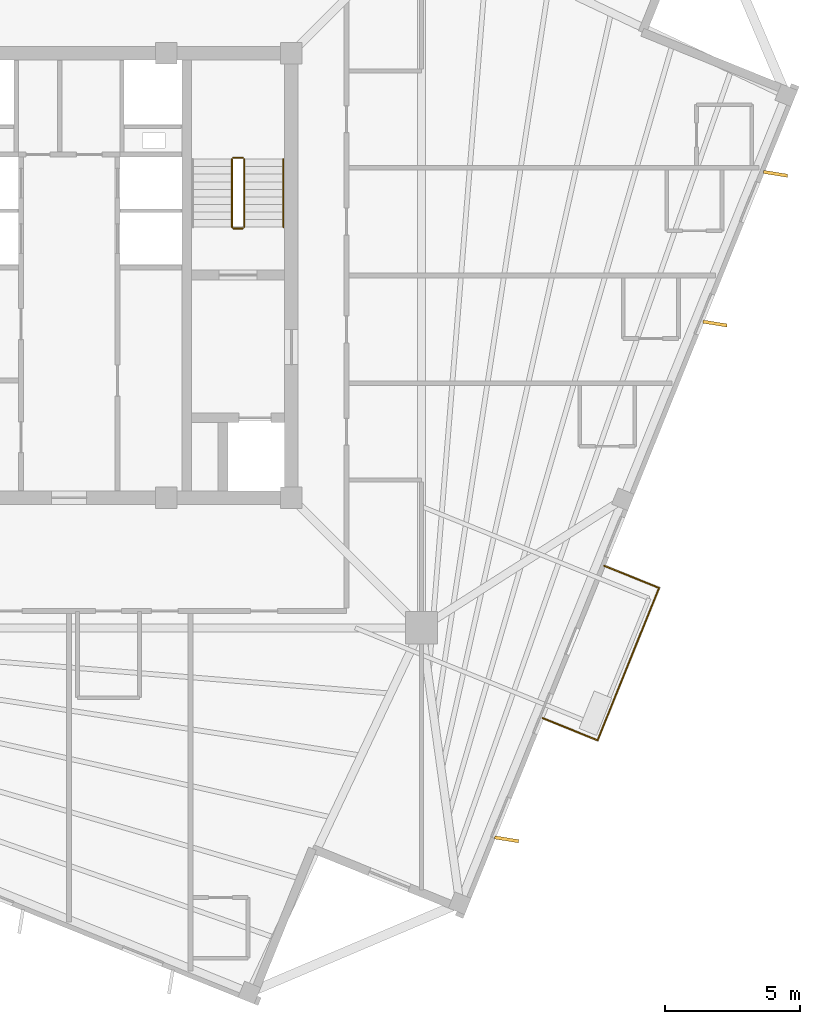
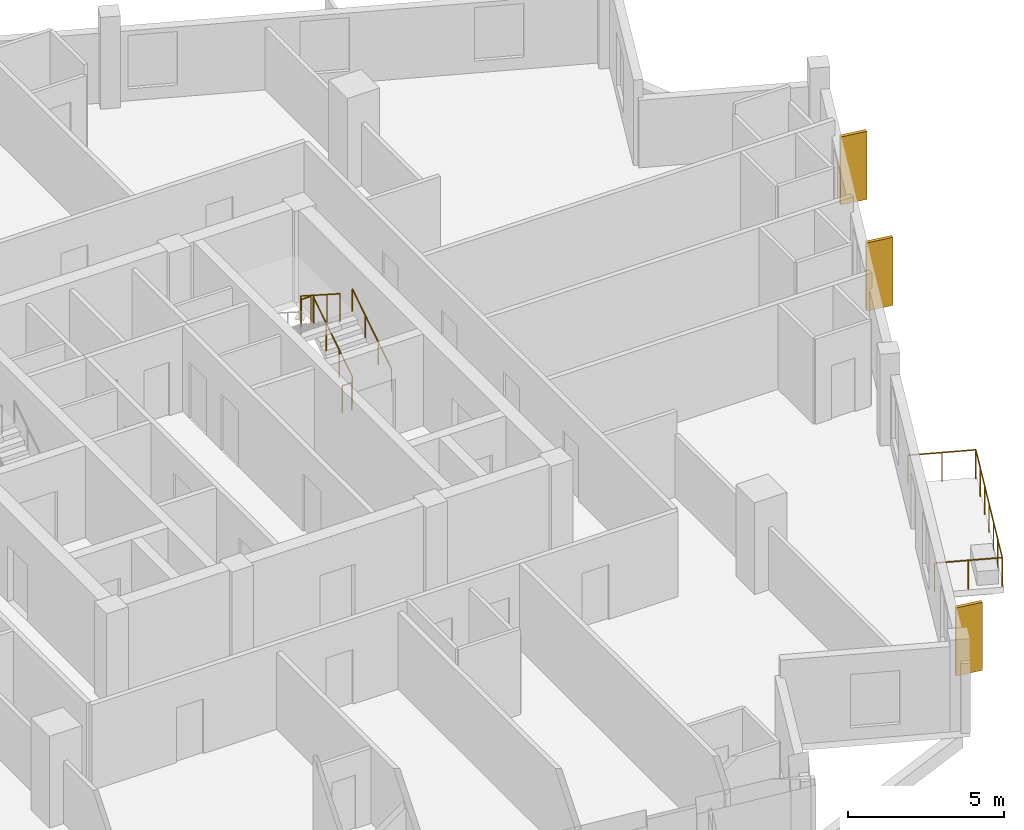
# One storey, part 8 of 9: 8 railings, 3 coverings.
"""IFC4 building model written with IfcOpenShell, lengths in metres."""

from ifc_helpers import new_model, si_unit, direction, frame, origin, origin_2d, place, context, subcontext, project, spatial, rectangle, circle, extrude, source, transform, mapped, material, layer, layer_set, type_object, element, save


model = new_model("IFC4")

# Units and contexts
model_context = context("Model", 3, precision=1e-05, world=origin(), true_north=direction((0.0, 1.0)))
body_context = subcontext(model_context, "Body", "Model", "MODEL_VIEW")
ifc_project = project(units=[si_unit("LENGTHUNIT", "METRE"), si_unit("AREAUNIT", "SQUARE_METRE"), si_unit("VOLUMEUNIT", "CUBIC_METRE"), si_unit("PLANEANGLEUNIT", "RADIAN"), si_unit("MASSUNIT", "GRAM", prefix="KILO"), si_unit("THERMODYNAMICTEMPERATUREUNIT", "KELVIN")], contexts=[model_context])

# Site, building, storey
site_placement = place(None, origin())
site = spatial("IfcSite", under=ifc_project, at=site_placement, CompositionType="ELEMENT")
building_placement = place(site_placement, origin())
building = spatial("IfcBuilding", under=site, at=building_placement, Name="Kosmvard Interchange Tower", CompositionType="ELEMENT")
storey_placement = place(building_placement, frame((0.0, 0.0, 283.199951171875)))
storey = spatial("IfcBuildingStorey", under=building, at=storey_placement, Name="L69", CompositionType="ELEMENT", Elevation=283.199951171875)

# Railing
ifc_material_1 = material(Name="Steel S355", Category="steel")
railing_type_1 = type_object("IfcRailingType", Name="Observation & Balcony Glass-Infill Balustrade 1150", PredefinedType="BALUSTRADE", material=ifc_material_1)
shared_shape_1 = source(origin(), body_context, "Body", "SweptSolid", [
    extrude(circle(Radius=0.02392578125, at=origin_2d()), frame((0.0, 0.0, 1.1259765625), z_axis=(0.927208487558, -0.374545618852, 0.0), x_axis=(0.374545618852, 0.927208487558, 0.0)), (0.0, 0.0, 1.0), 2.199951171875),
    extrude(circle(Radius=0.02099609375, at=origin_2d()), origin(), (0.0, 0.0, 1.0), 1.101806640625),
    extrude(circle(Radius=0.02099609375, at=origin_2d()), frame((1.02001953125, -0.412109375, 0.0)), (0.0, 0.0, 1.0), 1.101806640625),
    extrude(circle(Radius=0.02099609375, at=origin_2d()), frame((2.039794921875, -0.823974609375, 0.0)), (0.0, 0.0, 1.0), 1.101806640625),
])
railing_1_placement = place(storey_placement, frame((17.574951171875, -16.43017578125, 0.0)))
element("IfcRailing", 1, at=railing_1_placement, inside=storey, type_object=railing_type_1, Name="L69 Outdoor Terrace Guard BAL-L69-S-A", PredefinedType="BALUSTRADE", context=body_context, shape_type="MappedRepresentation", body=[
    mapped(shared_shape_1, transform((0.0, 0.0, 0.0), scale=1.0)),
])

# Coverings
ifc_material_2 = material(Name="Architectural anodised aluminium", Category="aluminium")
ifc_layer = layer(ifc_material_2, 0.1201171875, Name="Architectural anodised aluminium")
ifc_layer_set = layer_set([ifc_layer], Name="Architectural anodised aluminium")
covering_type = type_object("IfcCoveringType", Name="Rotating Vertical Sun-Breaker Fin 900x120 Aluminium", PredefinedType="CLADDING", material=ifc_layer_set)
shared_shape_2 = source(origin(), body_context, "Body", "SweptSolid", [
    extrude(rectangle(XDim=0.89990234375, YDim=0.1201171875, at=origin_2d()), origin(), (0.0, 0.0, 1.0), 2.669921875),
])
for number, where, z_axis, x_axis, name in (
    (2, (16.2412109375, -20.932373046875, 0.0400390625), (0.0, 0.0, 1.0), (0.987275411839, -0.159019688023, 0.0), "L69 Rotating Vertical Sun-Breaker Fin 01"),
    (3, (23.977783203125, -1.783935546875, 0.0400390625), (0.0, 0.0, 1.0), (0.987275411839, -0.159019688023, 0.0), "L69 Rotating Vertical Sun-Breaker Fin 02"),
    (4, (26.223876953125, 3.775390625, 0.0400390625), (0.0, 0.0, 1.0), (0.987275411839, -0.159019688023, 0.0), "L69 Rotating Vertical Sun-Breaker Fin 03"),
):
    element("IfcCovering", number, at=place(storey_placement, frame(where, z_axis=z_axis, x_axis=x_axis)), inside=storey, type_object=covering_type, Name=name, PredefinedType="CLADDING", context=body_context, shape_type="MappedRepresentation", body=[
        mapped(shared_shape_2, transform((0.0, 0.0, 0.0), scale=1.0)),
    ])

# Railings
shared_shape_3 = source(origin(), body_context, "Body", "SweptSolid", [
    extrude(circle(Radius=0.02392578125, at=origin_2d()), frame((0.0, 0.0, 1.1259765625), z_axis=(0.374617894384, 0.927179288599, 0.0), x_axis=(-0.927179288599, 0.374617894384, 0.0)), (0.0, 0.0, 1.0), 6.099853515625),
    extrude(circle(Radius=0.02099609375, at=origin_2d()), origin(), (0.0, 0.0, 1.0), 1.101806640625),
    extrude(circle(Radius=0.02099609375, at=origin_2d()), frame((0.380859375, 0.942626953125, 0.0)), (0.0, 0.0, 1.0), 1.101806640625),
    extrude(circle(Radius=0.02099609375, at=origin_2d()), frame((0.76171875, 1.88525390625, 0.0)), (0.0, 0.0, 1.0), 1.101806640625),
    extrude(circle(Radius=0.02099609375, at=origin_2d()), frame((1.142578125, 2.827880859375, 0.0)), (0.0, 0.0, 1.0), 1.101806640625),
    extrude(circle(Radius=0.02099609375, at=origin_2d()), frame((1.5234375, 3.7705078125, 0.0)), (0.0, 0.0, 1.0), 1.101806640625),
    extrude(circle(Radius=0.02099609375, at=origin_2d()), frame((1.904296875, 4.713134765625, 0.0)), (0.0, 0.0, 1.0), 1.101806640625),
    extrude(circle(Radius=0.02099609375, at=origin_2d()), frame((2.28515625, 5.65576171875, 0.0)), (0.0, 0.0, 1.0), 1.101806640625),
])
railing_2_placement = place(storey_placement, frame((19.61474609375, -17.254150390625, 0.0)))
element("IfcRailing", 5, at=railing_2_placement, inside=storey, type_object=railing_type_1, Name="L69 Outdoor Terrace Guard BAL-L69-S-B", PredefinedType="BALUSTRADE", context=body_context, shape_type="MappedRepresentation", body=[
    mapped(shared_shape_3, transform((0.0, 0.0, 0.0), scale=1.0)),
])
shared_shape_4 = source(origin(), body_context, "Body", "SweptSolid", [
    extrude(circle(Radius=0.02392578125, at=origin_2d()), frame((0.0, 0.0, 1.1259765625), z_axis=(-0.927169944131, 0.374641021112, 0.0), x_axis=(-0.374641021112, -0.927169944131, 0.0)), (0.0, 0.0, 1.0), 2.199951171875),
    extrude(circle(Radius=0.02099609375, at=origin_2d()), origin(), (0.0, 0.0, 1.0), 1.101806640625),
    extrude(circle(Radius=0.02099609375, at=origin_2d()), frame((-1.02001953125, 0.412109375, 0.0)), (0.0, 0.0, 1.0), 1.101806640625),
    extrude(circle(Radius=0.02099609375, at=origin_2d()), frame((-2.039794921875, 0.82421875, 0.0)), (0.0, 0.0, 1.0), 1.101806640625),
])
railing_3_placement = place(storey_placement, frame((21.89990234375, -11.598388671875, 0.0)))
element("IfcRailing", 6, at=railing_3_placement, inside=storey, type_object=railing_type_1, Name="L69 Outdoor Terrace Guard BAL-L69-S-C", PredefinedType="BALUSTRADE", context=body_context, shape_type="MappedRepresentation", body=[
    mapped(shared_shape_4, transform((0.0, 0.0, 0.0), scale=1.0)),
])
railing_type_2 = type_object("IfcRailingType", Name="Stair & Terrace Safety Guardrail 1100 Steel", PredefinedType="GUARDRAIL", material=ifc_material_1)
shared_shape_5 = source(origin(), body_context, "Body", "SweptSolid", [
    extrude(circle(Radius=0.02392578125, at=origin_2d()), frame((0.0, 0.0, 1.076171875), z_axis=(-1.0, 0.0, 0.0), x_axis=(0.0, -1.0, 0.0)), (0.0, 0.0, 1.0), 0.35986328125),
    extrude(circle(Radius=0.02099609375, at=origin_2d()), origin(), (0.0, 0.0, 1.0), 1.052001953125),
    extrude(circle(Radius=0.02099609375, at=origin_2d()), frame((-0.35986328125, 0.0, 0.0)), (0.0, 0.0, 1.0), 1.052001953125),
])
for number, where, name in (
    (7, (6.449951171875, 4.3701171875, 1.800048828125), "L69 ST-2 stair guard 2"),
    (8, (6.449951171875, 1.75, 0.0), "L69 ST-2 stair guard 4"),
):
    element("IfcRailing", number, at=place(storey_placement, frame(where)), inside=storey, type_object=railing_type_2, Name=name, PredefinedType="GUARDRAIL", context=body_context, shape_type="MappedRepresentation", body=[
        mapped(shared_shape_5, transform((0.0, 0.0, 0.0), scale=1.0)),
    ])
shared_shape_6 = source(origin(), body_context, "Body", "SweptSolid", [
    extrude(circle(Radius=0.02392578125, at=origin_2d()), frame((0.0, 0.0, 1.076171875), z_axis=(0.0, 0.841162588446, 0.540782303519), x_axis=(-1.0, 0.0, 0.0)), (0.0, 0.0, 1.0), 2.995849609375),
    extrude(circle(Radius=0.02099609375, at=origin_2d()), origin(), (0.0, 0.0, 1.0), 1.052001953125),
    extrude(circle(Radius=0.02099609375, at=origin_2d()), frame((0.0, 0.840087890625, 0.5400390625)), (0.0, 0.0, 1.0), 1.052001953125),
    extrude(circle(Radius=0.02099609375, at=origin_2d()), frame((0.0, 1.679931640625, 1.080078125)), (0.0, 0.0, 1.0), 1.052001953125),
    extrude(circle(Radius=0.02099609375, at=origin_2d()), frame((0.0, 2.52001953125, 1.6201171875)), (0.0, 0.0, 1.0), 1.052001953125),
])
railing_4_placement = place(storey_placement, frame((6.5, 1.800048828125, 0.179931640625)))
element("IfcRailing", 9, at=railing_4_placement, inside=storey, type_object=railing_type_2, Name="L69 ST-2 stair guard 1", PredefinedType="GUARDRAIL", context=body_context, shape_type="MappedRepresentation", body=[
    mapped(shared_shape_6, transform((0.0, 0.0, 0.0), scale=1.0)),
])
shared_shape_7 = source(origin(), body_context, "Body", "SweptSolid", [
    extrude(circle(Radius=0.02392578125, at=origin_2d()), frame((0.0, 0.0, 1.076171875), z_axis=(0.0, -0.841162588446, 0.540782303519), x_axis=(1.0, 0.0, 0.0)), (0.0, 0.0, 1.0), 2.995849609375),
    extrude(circle(Radius=0.02099609375, at=origin_2d()), origin(), (0.0, 0.0, 1.0), 1.052001953125),
    extrude(circle(Radius=0.02099609375, at=origin_2d()), frame((0.0, -0.840087890625, 0.5400390625)), (0.0, 0.0, 1.0), 1.052001953125),
    extrude(circle(Radius=0.02099609375, at=origin_2d()), frame((0.0, -1.679931640625, 1.080078125)), (0.0, 0.0, 1.0), 1.052001953125),
    extrude(circle(Radius=0.02099609375, at=origin_2d()), frame((0.0, -2.52001953125, 1.6201171875)), (0.0, 0.0, 1.0), 1.052001953125),
])
railing_5_placement = place(storey_placement, frame((6.0400390625, 4.320068359375, 1.97998046875)))
element("IfcRailing", 10, at=railing_5_placement, inside=storey, type_object=railing_type_2, Name="L69 ST-2 stair guard 3", PredefinedType="GUARDRAIL", context=body_context, shape_type="MappedRepresentation", body=[
    mapped(shared_shape_7, transform((0.0, 0.0, 0.0), scale=1.0)),
])
railing_type_3 = type_object("IfcRailingType", Name="Wall-Mounted Stair Handrail 900 Steel", PredefinedType="HANDRAIL", material=ifc_material_1)
shared_shape_8 = source(origin(), body_context, "Body", "SweptSolid", [
    extrude(circle(Radius=0.02392578125, at=origin_2d()), frame((0.0, 0.0, 0.8759765625), z_axis=(0.0, 0.841162588446, 0.540782303519), x_axis=(-1.0, 0.0, 0.0)), (0.0, 0.0, 1.0), 2.995849609375),
    extrude(circle(Radius=0.02099609375, at=origin_2d()), origin(), (0.0, 0.0, 1.0), 0.851806640625),
    extrude(circle(Radius=0.02099609375, at=origin_2d()), frame((0.0, 0.840087890625, 0.5400390625)), (0.0, 0.0, 1.0), 0.851806640625),
    extrude(circle(Radius=0.02099609375, at=origin_2d()), frame((0.0, 1.679931640625, 1.080078125)), (0.0, 0.0, 1.0), 0.851806640625),
    extrude(circle(Radius=0.02099609375, at=origin_2d()), frame((0.0, 2.52001953125, 1.6201171875)), (0.0, 0.0, 1.0), 0.851806640625),
])
railing_6_placement = place(storey_placement, frame((7.949951171875, 1.800048828125, 0.179931640625)))
element("IfcRailing", 11, at=railing_6_placement, inside=storey, type_object=railing_type_3, Name="L69 ST-2 stair handrail 1", PredefinedType="HANDRAIL", context=body_context, shape_type="MappedRepresentation", body=[
    mapped(shared_shape_8, transform((0.0, 0.0, 0.0), scale=1.0)),
])

save(model, "model.ifc")
